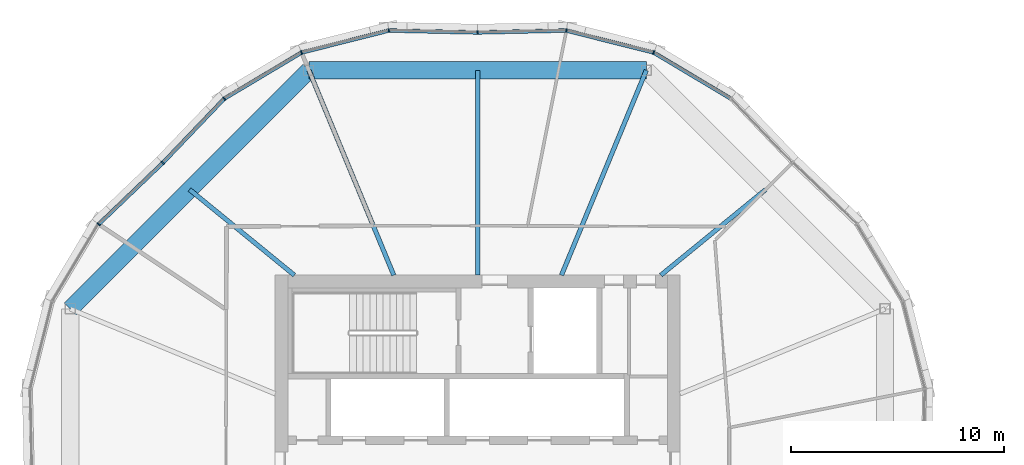
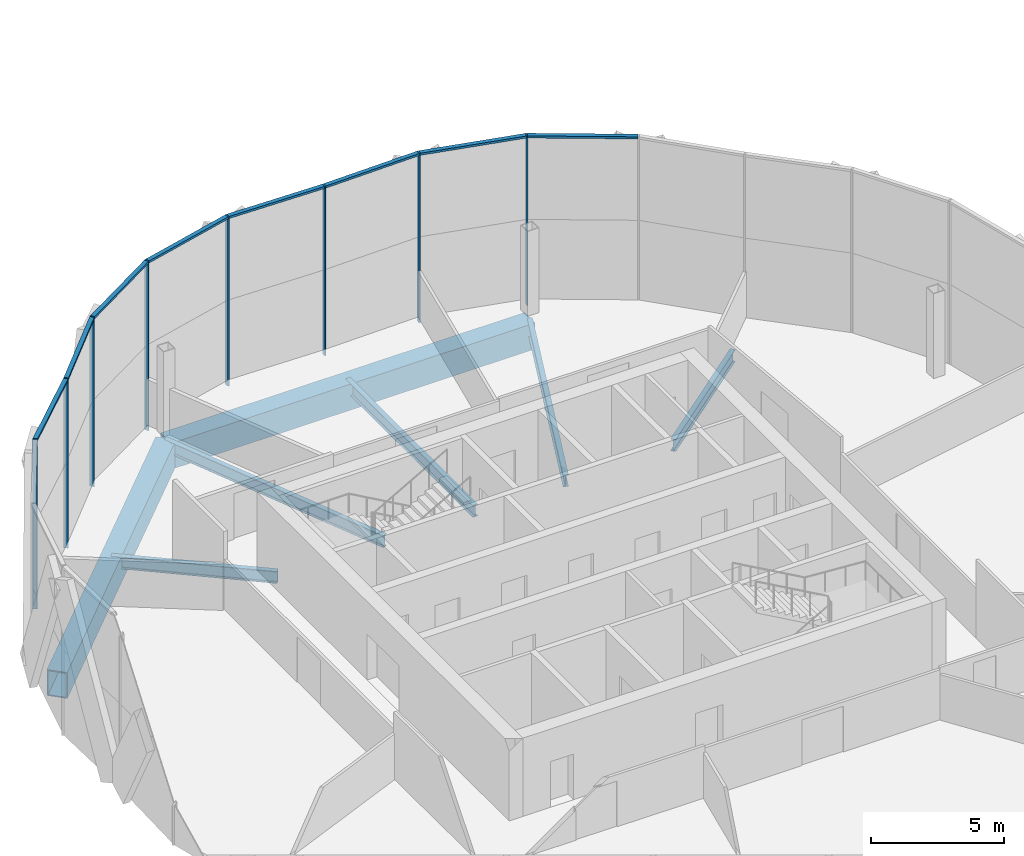
# One storey, part 7 of 26: 16 members, 7 beams, 3 elements without a shape of their own.
"""IFC4 building model written with IfcOpenShell, lengths in metres."""

from ifc_helpers import new_model, si_unit, direction, frame, origin, origin_2d, place, context, subcontext, project, spatial, rectangle, hollow_rectangle, i_section, extrude, material, material_profile, profile_set, type_object, element, aggregate, save


model = new_model("IFC4")

# Units and contexts
model_context = context("Model", 3, precision=1e-05, world=origin(), true_north=direction((0.0, 1.0)))
body_context = subcontext(model_context, "Body", "Model", "MODEL_VIEW")
ifc_project = project(units=[si_unit("LENGTHUNIT", "METRE"), si_unit("AREAUNIT", "SQUARE_METRE"), si_unit("VOLUMEUNIT", "CUBIC_METRE"), si_unit("PLANEANGLEUNIT", "RADIAN"), si_unit("MASSUNIT", "GRAM", prefix="KILO")], contexts=[model_context])

# Site, building, storey
site_placement = place(None, origin())
site = spatial("IfcSite", under=ifc_project, at=site_placement, CompositionType="ELEMENT")
building_placement = place(site_placement, origin())
building = spatial("IfcBuilding", under=site, at=building_placement, Name="Ogive Gate Towers", CompositionType="ELEMENT")
storey_placement = place(building_placement, frame((0.0, 0.0, 208.5)))
storey = spatial("IfcBuildingStorey", under=building, at=storey_placement, Name="L50", CompositionType="ELEMENT", Elevation=208.5)

# Beams
ifc_material_1 = material(Name="Steel SM460", Category="steel")
ifc_material_profile_1 = material_profile(ifc_material_1, hollow_rectangle(XDim=0.800048828125, YDim=1.199951171875, WallThickness=0.050048828125, at=origin_2d()), Name="BX 1200x800x50")
ifc_profile_set_1 = profile_set([ifc_material_profile_1], Name="Steel SM460")
beam_type_1 = type_object("IfcBeamType", Name="Edge girder BX 1200x800x50", PredefinedType="BEAM", material=ifc_profile_set_1)
beam_1_placement = place(storey_placement, frame((-28.082275390625, 19.114990234375, -0.89990234375), z_axis=(-1.0, 0.0, 0.0), x_axis=(0.0, -1.0, 0.0)))
element("IfcBeam", 1, at=beam_1_placement, inside=storey, type_object=beam_type_1, Name="T1/L50/SBM022", PredefinedType="BEAM", context=body_context, shape_type="SweptSolid", body=[
    extrude(hollow_rectangle(XDim=0.800048828125, YDim=1.199951171875, WallThickness=0.050048828125, at=origin_2d()), origin(), (0.0, 0.0, 1.0), 15.83544921875),
])
beam_2_placement = place(storey_placement, frame((-43.917724609375, 19.114990234375, -0.89990234375), z_axis=(-0.707106781187, -0.707106781187, 0.0), x_axis=(0.707106781187, -0.707106781187, 0.0)))
element("IfcBeam", 2, at=beam_2_placement, inside=storey, type_object=beam_type_1, Name="T1/L50/SBM023", PredefinedType="BEAM", context=body_context, shape_type="SweptSolid", body=[
    extrude(hollow_rectangle(XDim=0.800048828125, YDim=1.199951171875, WallThickness=0.050048828125, at=origin_2d()), origin(), (0.0, 0.0, 1.0), 15.835205078125),
])
ifc_material_2 = material(Name="Steel SM355", Category="steel")
ifc_material_profile_2 = material_profile(ifc_material_2, i_section(OverallWidth=0.2099609375, OverallDepth=0.550048828125, WebThickness=0.010986328125, FlangeThickness=0.01708984375, FilletRadius=0.02392578125, at=origin_2d()), Name="IPE 550")
ifc_profile_set_2 = profile_set([ifc_material_profile_2], Name="Steel SM355")
beam_type_2 = type_object("IfcBeamType", Name="Radial floor beam IPE 550", PredefinedType="BEAM", material=ifc_profile_set_2)
beam_3_placement = place(storey_placement, frame((-27.39990234375, 9.5, -0.574951171875), z_axis=(0.77442315148, 0.632667987535, 0.0), x_axis=(-0.632667987535, 0.77442315148, 0.0)))
element("IfcBeam", 3, at=beam_3_placement, inside=storey, type_object=beam_type_2, Name="T1/L50/SBM010", PredefinedType="BEAM", context=body_context, shape_type="SweptSolid", body=[
    extrude(i_section(OverallWidth=0.2099609375, OverallDepth=0.550048828125, WebThickness=0.010986328125, FlangeThickness=0.01708984375, FilletRadius=0.02392578125, at=origin_2d()), origin(), (0.0, 0.0, 1.0), 6.348388671875),
])
beam_4_placement = place(storey_placement, frame((-32.06494140625, 9.5, -0.574951171875), z_axis=(0.382683978464, 0.92387930631, 0.0), x_axis=(-0.92387930631, 0.382683978464, 0.0)))
element("IfcBeam", 4, at=beam_4_placement, inside=storey, type_object=beam_type_2, Name="T1/L50/SBM011", PredefinedType="BEAM", context=body_context, shape_type="SweptSolid", body=[
    extrude(i_section(OverallWidth=0.2099609375, OverallDepth=0.550048828125, WebThickness=0.010986328125, FlangeThickness=0.01708984375, FilletRadius=0.02392578125, at=origin_2d()), origin(), (0.0, 0.0, 1.0), 10.4072265625),
])
beam_5_placement = place(storey_placement, frame((-36.0, 9.5, -0.574951171875), z_axis=(0.0, 1.0, 0.0), x_axis=(-1.0, 0.0, 0.0)))
element("IfcBeam", 5, at=beam_5_placement, inside=storey, type_object=beam_type_2, Name="T1/L50/SBM012", PredefinedType="BEAM", context=body_context, shape_type="SweptSolid", body=[
    extrude(i_section(OverallWidth=0.2099609375, OverallDepth=0.550048828125, WebThickness=0.010986328125, FlangeThickness=0.01708984375, FilletRadius=0.02392578125, at=origin_2d()), origin(), (0.0, 0.0, 1.0), 9.614990234375),
])
beam_6_placement = place(storey_placement, frame((-39.93505859375, 9.5, -0.574951171875), z_axis=(-0.382683978464, 0.92387930631, 0.0), x_axis=(-0.92387930631, -0.382683978464, 0.0)))
element("IfcBeam", 6, at=beam_6_placement, inside=storey, type_object=beam_type_2, Name="T1/L50/SBM013", PredefinedType="BEAM", context=body_context, shape_type="SweptSolid", body=[
    extrude(i_section(OverallWidth=0.2099609375, OverallDepth=0.550048828125, WebThickness=0.010986328125, FlangeThickness=0.01708984375, FilletRadius=0.02392578125, at=origin_2d()), origin(), (0.0, 0.0, 1.0), 10.4072265625),
])
beam_7_placement = place(storey_placement, frame((-44.60009765625, 9.5, -0.574951171875), z_axis=(-0.77442315148, 0.632667987535, 0.0), x_axis=(-0.632667987535, -0.77442315148, 0.0)))
element("IfcBeam", 7, at=beam_7_placement, inside=storey, type_object=beam_type_2, Name="T1/L50/SBM014", PredefinedType="BEAM", context=body_context, shape_type="SweptSolid", body=[
    extrude(i_section(OverallWidth=0.2099609375, OverallDepth=0.550048828125, WebThickness=0.010986328125, FlangeThickness=0.01708984375, FilletRadius=0.02392578125, at=origin_2d()), origin(), (0.0, 0.0, 1.0), 6.348388671875),
])

# Curtain wall, members
ifc_material_3 = material(Name="Pale metal aluminium", Category="aluminium")
curtain_wall_type = type_object("IfcCurtainWallType", Name="Tower unitised wall, high zone", PredefinedType="NOTDEFINED", material=ifc_material_3)
curtain_wall_1_placement = place(storey_placement, origin())
curtain_wall_1 = element("IfcCurtainWall", 8, at=curtain_wall_1_placement, inside=storey, type_object=curtain_wall_type, Name="CW2 T1 ECW02", PredefinedType="NOTDEFINED")
ifc_material_profile_3 = material_profile(ifc_material_3, rectangle(XDim=0.179931640625, YDim=0.06005859375, at=origin_2d()), Name="60 x 180 aluminium box")
ifc_profile_set_3 = profile_set([ifc_material_profile_3], Name="Pale metal aluminium")
member_type_1 = type_object("IfcMemberType", Name="Tower unitised wall, high zone mullion 60 x 180", PredefinedType="MULLION", material=ifc_profile_set_3)
member_1_placement = place(storey_placement, frame((-27.7373046875, 19.947509765625, -0.300048828125), z_axis=(0.0, 0.0, 1.0), x_axis=(0.382683432365, 0.923879532511, 0.0)))
member_1 = element("IfcMember", 9, at=member_1_placement, type_object=member_type_1, Name="CW2 mullion", PredefinedType="MULLION", context=body_context, shape_type="SweptSolid", body=[
    extrude(rectangle(XDim=0.179931640625, YDim=0.06005859375, at=origin_2d()), origin(), (0.0, 0.0, 1.0), 7.800048828125),
])
member_2_placement = place(storey_placement, frame((-31.834228515625, 20.981201171875, -0.300048828125), z_axis=(0.0, 0.0, 1.0), x_axis=(0.112405486759, 0.993662420818, 0.0)))
member_2 = element("IfcMember", 10, at=member_2_placement, type_object=member_type_1, Name="CW2 mullion", PredefinedType="MULLION", context=body_context, shape_type="SweptSolid", body=[
    extrude(rectangle(XDim=0.179931640625, YDim=0.06005859375, at=origin_2d()), origin(), (0.0, 0.0, 1.0), 7.800048828125),
])
member_3_placement = place(storey_placement, frame((-35.999755859375, 20.889892578125, -0.300048828125), z_axis=(0.0, 0.0, 1.0), x_axis=(-0.02183233417, 0.999761646186, 0.0)))
member_3 = element("IfcMember", 11, at=member_3_placement, type_object=member_type_1, Name="CW2 mullion", PredefinedType="MULLION", context=body_context, shape_type="SweptSolid", body=[
    extrude(rectangle(XDim=0.179931640625, YDim=0.06005859375, at=origin_2d()), origin(), (0.0, 0.0, 1.0), 7.800048828125),
])

curtain_wall_2_placement = place(storey_placement, origin())
curtain_wall_2 = element("IfcCurtainWall", 12, at=curtain_wall_2_placement, inside=storey, type_object=curtain_wall_type, Name="CW2 T1 ECW03", PredefinedType="NOTDEFINED")
member_4_placement = place(storey_placement, frame((-40.165771484375, 20.981201171875, -0.300048828125), z_axis=(0.0, 0.0, 1.0), x_axis=(-0.112405486759, 0.993662420818, 0.0)))
member_4 = element("IfcMember", 13, at=member_4_placement, type_object=member_type_1, Name="CW2 mullion", PredefinedType="MULLION", context=body_context, shape_type="SweptSolid", body=[
    extrude(rectangle(XDim=0.179931640625, YDim=0.06005859375, at=origin_2d()), origin(), (0.0, 0.0, 1.0), 7.800048828125),
])
member_5_placement = place(storey_placement, frame((-44.2626953125, 19.947509765625, -0.300048828125), z_axis=(0.0, 0.0, 1.0), x_axis=(-0.382683432365, 0.923879532511, 0.0)))
member_5 = element("IfcMember", 14, at=member_5_placement, type_object=member_type_1, Name="CW2 mullion", PredefinedType="MULLION", context=body_context, shape_type="SweptSolid", body=[
    extrude(rectangle(XDim=0.179931640625, YDim=0.06005859375, at=origin_2d()), origin(), (0.0, 0.0, 1.0), 7.800048828125),
])
member_6_placement = place(storey_placement, frame((-47.890380859375, 17.781494140625, -0.300048828125), z_axis=(0.0, 0.0, 1.0), x_axis=(-0.623156404308, 0.782097241889, 0.0)))
member_6 = element("IfcMember", 15, at=member_6_placement, type_object=member_type_1, Name="CW2 mullion", PredefinedType="MULLION", context=body_context, shape_type="SweptSolid", body=[
    extrude(rectangle(XDim=0.179931640625, YDim=0.06005859375, at=origin_2d()), origin(), (0.0, 0.0, 1.0), 7.800048828125),
])
member_7_placement = place(storey_placement, frame((-50.771240234375, 14.771484375, -0.300048828125), z_axis=(0.0, 0.0, 1.0), x_axis=(-0.722376031129, 0.691500448047, 0.0)))
member_7 = element("IfcMember", 16, at=member_7_placement, type_object=member_type_1, Name="CW2 mullion", PredefinedType="MULLION", context=body_context, shape_type="SweptSolid", body=[
    extrude(rectangle(XDim=0.179931640625, YDim=0.06005859375, at=origin_2d()), origin(), (0.0, 0.0, 1.0), 7.800048828125),
])

# Curtain wall, member
curtain_wall_3_placement = place(storey_placement, origin())
curtain_wall_3 = element("IfcCurtainWall", 17, at=curtain_wall_3_placement, inside=storey, type_object=curtain_wall_type, Name="CW2 T1 ECW04", PredefinedType="NOTDEFINED")
member_8_placement = place(storey_placement, frame((-53.781494140625, 11.890380859375, -0.300048828125), z_axis=(0.0, 0.0, 1.0), x_axis=(-0.782097241889, 0.623156404308, 0.0)))
member_8 = element("IfcMember", 18, at=member_8_placement, type_object=member_type_1, Name="CW2 mullion", PredefinedType="MULLION", context=body_context, shape_type="SweptSolid", body=[
    extrude(rectangle(XDim=0.179931640625, YDim=0.06005859375, at=origin_2d()), origin(), (0.0, 0.0, 1.0), 7.800048828125),
])

# Member
ifc_material_profile_4 = material_profile(ifc_material_3, rectangle(XDim=0.179931640625, YDim=0.10009765625, at=origin_2d()), Name="100 x 180 aluminium box")
ifc_profile_set_4 = profile_set([ifc_material_profile_4], Name="Pale metal aluminium")
member_type_2 = type_object("IfcMemberType", Name="Tower unitised wall, high zone transom 100 x 180", PredefinedType="USERDEFINED", material=ifc_profile_set_4)
member_9_placement = place(storey_placement, frame((-24.134521484375, 17.7958984375, 7.449951171875), z_axis=(-0.858555803666, 0.512720130278, 0.0), x_axis=(-0.512720130278, -0.858555803666, 0.0)))
member_9 = element("IfcMember", 19, at=member_9_placement, type_object=member_type_2, Name="CW2 transom", ObjectType="TRANSOM", PredefinedType="USERDEFINED", context=body_context, shape_type="SweptSolid", body=[
    extrude(rectangle(XDim=0.179931640625, YDim=0.10009765625, at=origin_2d()), origin(), (0.0, 0.0, 1.0), 4.16796875),
])

member_10_placement = place(storey_placement, frame((-27.76513671875, 19.954345703125, 7.449951171875), z_axis=(-0.969609580382, 0.244657437312, 0.0), x_axis=(-0.244657437312, -0.969609580382, 0.0)))
member_10 = element("IfcMember", 20, at=member_10_placement, type_object=member_type_2, Name="CW2 transom", ObjectType="TRANSOM", PredefinedType="USERDEFINED", context=body_context, shape_type="SweptSolid", body=[
    extrude(rectangle(XDim=0.179931640625, YDim=0.10009765625, at=origin_2d()), origin(), (0.0, 0.0, 1.0), 4.168212890625),
])

member_11_placement = place(storey_placement, frame((-31.863037109375, 20.980224609375, 7.449951171875), z_axis=(-0.999762073128, -0.021812774558, 0.0), x_axis=(0.021812774558, -0.999762073128, 0.0)))
member_11 = element("IfcMember", 21, at=member_11_placement, type_object=member_type_2, Name="CW2 transom", ObjectType="TRANSOM", PredefinedType="USERDEFINED", context=body_context, shape_type="SweptSolid", body=[
    extrude(rectangle(XDim=0.179931640625, YDim=0.10009765625, at=origin_2d()), origin(), (0.0, 0.0, 1.0), 4.107666015625),
])

aggregate(curtain_wall_1, [member_1, member_9, member_2, member_10, member_3, member_11])

member_12_placement = place(storey_placement, frame((-36.0302734375, 20.890625, 7.449951171875), z_axis=(-0.999762073128, 0.021812774558, 0.0), x_axis=(-0.021812774558, -0.999762073128, 0.0)))
member_12 = element("IfcMember", 22, at=member_12_placement, type_object=member_type_2, Name="CW2 transom", ObjectType="TRANSOM", PredefinedType="USERDEFINED", context=body_context, shape_type="SweptSolid", body=[
    extrude(rectangle(XDim=0.179931640625, YDim=0.10009765625, at=origin_2d()), origin(), (0.0, 0.0, 1.0), 4.107666015625),
])

member_13_placement = place(storey_placement, frame((-40.193359375, 20.97412109375, 7.449951171875), z_axis=(-0.969609580382, -0.244657437312, 0.0), x_axis=(0.244657437312, -0.969609580382, 0.0)))
member_13 = element("IfcMember", 23, at=member_13_placement, type_object=member_type_2, Name="CW2 transom", ObjectType="TRANSOM", PredefinedType="USERDEFINED", context=body_context, shape_type="SweptSolid", body=[
    extrude(rectangle(XDim=0.179931640625, YDim=0.10009765625, at=origin_2d()), origin(), (0.0, 0.0, 1.0), 4.168212890625),
])

member_14_placement = place(storey_placement, frame((-44.287109375, 19.932861328125, 7.449951171875), z_axis=(-0.858555803666, -0.512720130278, 0.0), x_axis=(0.512720130278, -0.858555803666, 0.0)))
member_14 = element("IfcMember", 24, at=member_14_placement, type_object=member_type_2, Name="CW2 transom", ObjectType="TRANSOM", PredefinedType="USERDEFINED", context=body_context, shape_type="SweptSolid", body=[
    extrude(rectangle(XDim=0.179931640625, YDim=0.10009765625, at=origin_2d()), origin(), (0.0, 0.0, 1.0), 4.16796875),
])

member_15_placement = place(storey_placement, frame((-47.909912109375, 17.760498046875, 7.449951171875), z_axis=(-0.691515417893, -0.722361700823, 0.0), x_axis=(0.722361700823, -0.691515417893, 0.0)))
member_15 = element("IfcMember", 25, at=member_15_placement, type_object=member_type_2, Name="CW2 transom", ObjectType="TRANSOM", PredefinedType="USERDEFINED", context=body_context, shape_type="SweptSolid", body=[
    extrude(rectangle(XDim=0.179931640625, YDim=0.10009765625, at=origin_2d()), origin(), (0.0, 0.0, 1.0), 4.107666015625),
])

aggregate(curtain_wall_2, [member_4, member_12, member_5, member_13, member_6, member_14, member_7, member_15])

member_16_placement = place(storey_placement, frame((-50.793212890625, 14.75048828125, 7.449951171875), z_axis=(-0.722361700823, -0.691515417893, 0.0), x_axis=(0.691515417893, -0.722361700823, 0.0)))
member_16 = element("IfcMember", 26, at=member_16_placement, type_object=member_type_2, Name="CW2 transom", ObjectType="TRANSOM", PredefinedType="USERDEFINED", context=body_context, shape_type="SweptSolid", body=[
    extrude(rectangle(XDim=0.179931640625, YDim=0.10009765625, at=origin_2d()), origin(), (0.0, 0.0, 1.0), 4.107666015625),
])

aggregate(curtain_wall_3, [member_8, member_16])

save(model, "model.ifc")
